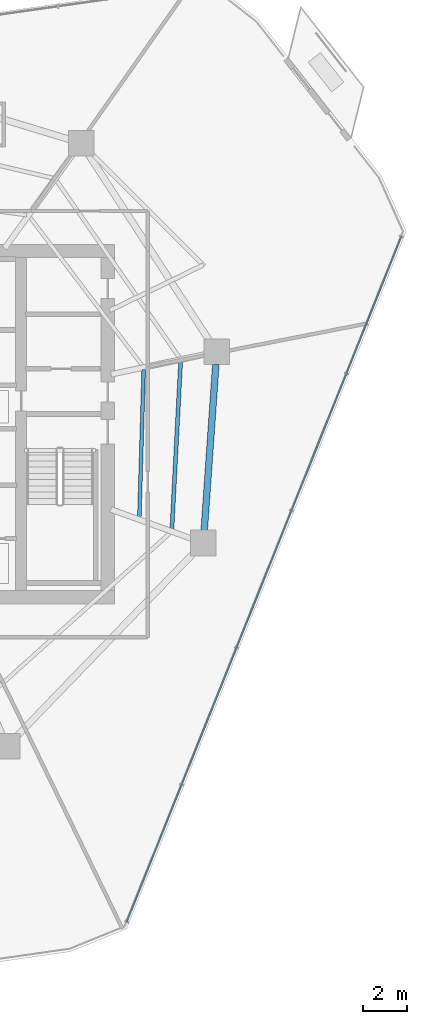
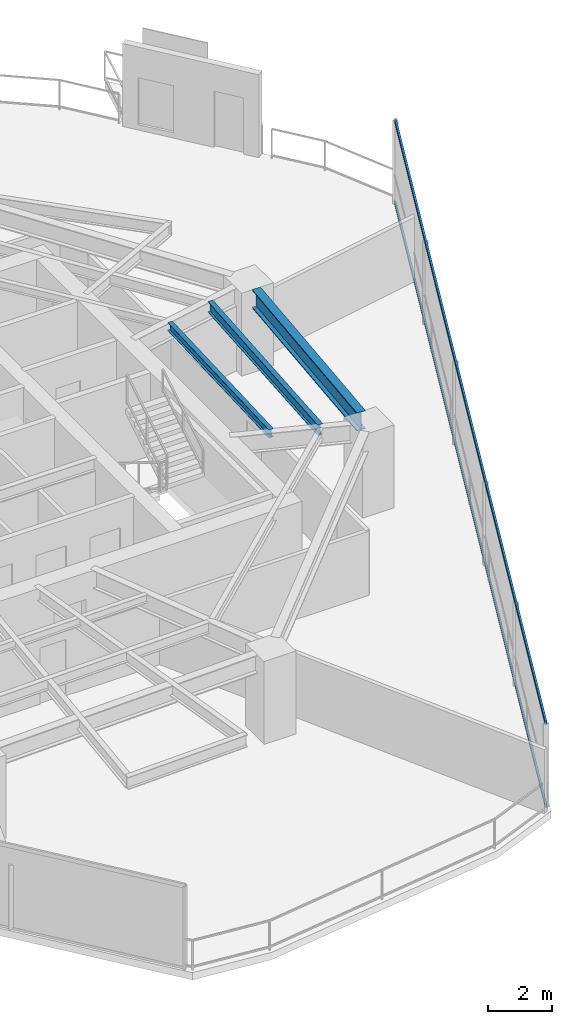
# One storey, part 12 of 29: 3 beams, 2 members, 1 element without a shape of its own.
"""IFC4 building model written with IfcOpenShell, lengths in metres."""

from ifc_helpers import new_model, si_unit, direction, frame, origin, origin_2d, place, context, subcontext, project, spatial, hollow_rectangle, i_section, extrude, material, layer, layer_set, material_profile, profile_set, type_object, element, aggregate, save


model = new_model("IFC4")

# Units and contexts
model_context = context("Model", 3, precision=1e-05, world=origin(), true_north=direction((0.0, 1.0)))
body_context = subcontext(model_context, "Body", "Model", "MODEL_VIEW")
ifc_project = project(units=[si_unit("LENGTHUNIT", "METRE"), si_unit("AREAUNIT", "SQUARE_METRE"), si_unit("VOLUMEUNIT", "CUBIC_METRE"), si_unit("PLANEANGLEUNIT", "RADIAN"), si_unit("MASSUNIT", "GRAM", prefix="KILO")], contexts=[model_context])

# Site, building, storey
site_placement = place(None, origin())
site = spatial("IfcSite", under=ifc_project, at=site_placement, CompositionType="ELEMENT")
building_placement = place(site_placement, origin())
building = spatial("IfcBuilding", under=site, at=building_placement, Name="Qarnah Convention Tower", CompositionType="ELEMENT")
storey_placement = place(building_placement, frame((0.0, 0.0, 97.050048828125)))
storey = spatial("IfcBuildingStorey", under=building, at=storey_placement, Name="L25", CompositionType="ELEMENT", Elevation=97.050048828125)

# Beams
ifc_material_1 = material(Name="Structural steel S355JR", Category="steel")
ifc_material_profile_1 = material_profile(ifc_material_1, i_section(OverallWidth=0.166015625, OverallDepth=0.31201171875, WebThickness=0.007080078125, FlangeThickness=0.010986328125, at=origin_2d()), Name="W310X45")
ifc_profile_set_1 = profile_set([ifc_material_profile_1], Name="Structural steel S355JR")
beam_type_1 = type_object("IfcBeamType", Name="BM-JST-W310", PredefinedType="JOIST", material=ifc_profile_set_1)
beam_1_placement = place(storey_placement, frame((49.02392578125, 22.18701171875, 3.013916015625), z_axis=(0.028906133337, 0.99958213042, 0.0), x_axis=(-0.99958213042, 0.028906133337, 0.0)))
element("IfcBeam", 1, at=beam_1_placement, inside=storey, type_object=beam_type_1, Name="L25 joist BM-L25-IJST-09", PredefinedType="JOIST", context=body_context, shape_type="SweptSolid", body=[
    extrude(i_section(OverallWidth=0.166015625, OverallDepth=0.31201171875, WebThickness=0.007080078125, FlangeThickness=0.010986328125, at=origin_2d()), origin(), (0.0, 0.0, 1.0), 6.6806640625),
])
ifc_material_profile_2 = material_profile(ifc_material_1, i_section(OverallWidth=0.177978515625, OverallDepth=0.407958984375, WebThickness=0.008056640625, FlangeThickness=0.012939453125, at=origin_2d()), Name="W410X60")
ifc_profile_set_2 = profile_set([ifc_material_profile_2], Name="Structural steel S355JR")
beam_type_2 = type_object("IfcBeamType", Name="BM-JST-W410", PredefinedType="JOIST", material=ifc_profile_set_2)
beam_2_placement = place(storey_placement, frame((50.489990234375, 21.654052734375, 2.966064453125), z_axis=(0.051882273789, 0.998653207909, 0.0), x_axis=(-0.998653207909, 0.051882273789, 0.0)))
element("IfcBeam", 2, at=beam_2_placement, inside=storey, type_object=beam_type_2, Name="L25 joist BM-L25-SJST-09", PredefinedType="JOIST", context=body_context, shape_type="SweptSolid", body=[
    extrude(i_section(OverallWidth=0.177978515625, OverallDepth=0.407958984375, WebThickness=0.008056640625, FlangeThickness=0.012939453125, at=origin_2d()), origin(), (0.0, 0.0, 1.0), 7.576171875),
])
ifc_material_profile_3 = material_profile(ifc_material_1, i_section(OverallWidth=0.300048828125, OverallDepth=0.699951171875, WebThickness=0.01708984375, FlangeThickness=0.031982421875, at=origin_2d()), Name="HEB700")
ifc_profile_set_3 = profile_set([ifc_material_profile_3], Name="Structural steel S355JR")
beam_type_3 = type_object("IfcBeamType", Name="BM-RING-HEB700", PredefinedType="BEAM", material=ifc_profile_set_3)
beam_3_placement = place(storey_placement, frame((51.945068359375, 21.611083984375, 2.820068359375), z_axis=(0.069881623509, 0.997555291047, 0.0), x_axis=(-0.997555291047, 0.069881623509, 0.0)))
element("IfcBeam", 3, at=beam_3_placement, inside=storey, type_object=beam_type_3, Name="L25 beam BM-L25-SPN-09", PredefinedType="BEAM", context=body_context, shape_type="SweptSolid", body=[
    extrude(i_section(OverallWidth=0.300048828125, OverallDepth=0.699951171875, WebThickness=0.01708984375, FlangeThickness=0.031982421875, at=origin_2d()), origin(), (0.0, 0.0, 1.0), 7.497314453125),
])

# Curtain wall, members
ifc_material_2 = material(Name="Tempered Low-E dark glass", Category="glass")
ifc_layer = layer(ifc_material_2, 0.169921875)
ifc_layer_set = layer_set([ifc_layer], Name="Tempered Low-E dark glass")
curtain_wall_type = type_object("IfcCurtainWallType", Name="CWS-02", PredefinedType="NOTDEFINED", material=ifc_layer_set)
curtain_wall_placement = place(storey_placement, origin())
curtain_wall = element("IfcCurtainWall", 4, at=curtain_wall_placement, inside=storey, type_object=curtain_wall_type, Name="L25 unitised curtain wall CW-L25-F2", PredefinedType="NOTDEFINED")
ifc_material_3 = material(Name="Black anodised aluminium", Category="aluminium")
ifc_material_profile_4 = material_profile(ifc_material_3, hollow_rectangle(XDim=0.06494140625, YDim=0.14990234375, WallThickness=0.00390625, at=origin_2d()), Name="TRN-65X150")
ifc_profile_set_4 = profile_set([ifc_material_profile_4], Name="Black anodised aluminium")
member_type = type_object("IfcMemberType", Name="TRN-T2", PredefinedType="USERDEFINED", material=ifc_profile_set_4)
member_1_placement = place(storey_placement, frame((60.825927734375, 34.85302734375, 0.0), z_axis=(-0.372024884005, -0.928222756498, 0.0), x_axis=(0.928222756498, -0.372024884005, 0.0)))
member_1 = element("IfcMember", 5, at=member_1_placement, type_object=member_type, Name="CW-L25-F2 transom 1", ObjectType="TRANSOM", PredefinedType="USERDEFINED", context=body_context, shape_type="SweptSolid", body=[
    extrude(hollow_rectangle(XDim=0.06494140625, YDim=0.14990234375, WallThickness=0.00390625, at=origin_2d()), origin(), (0.0, 0.0, 1.0), 33.24755859375),
])
member_2_placement = place(storey_placement, frame((60.825927734375, 34.85302734375, 3.169921875), z_axis=(-0.372024884005, -0.928222756498, 0.0), x_axis=(0.928222756498, -0.372024884005, 0.0)))
member_2 = element("IfcMember", 6, at=member_2_placement, type_object=member_type, Name="CW-L25-F2 transom 2", ObjectType="TRANSOM", PredefinedType="USERDEFINED", context=body_context, shape_type="SweptSolid", body=[
    extrude(hollow_rectangle(XDim=0.06494140625, YDim=0.14990234375, WallThickness=0.00390625, at=origin_2d()), origin(), (0.0, 0.0, 1.0), 33.24755859375),
])
aggregate(curtain_wall, [member_1, member_2])

save(model, "model.ifc")
